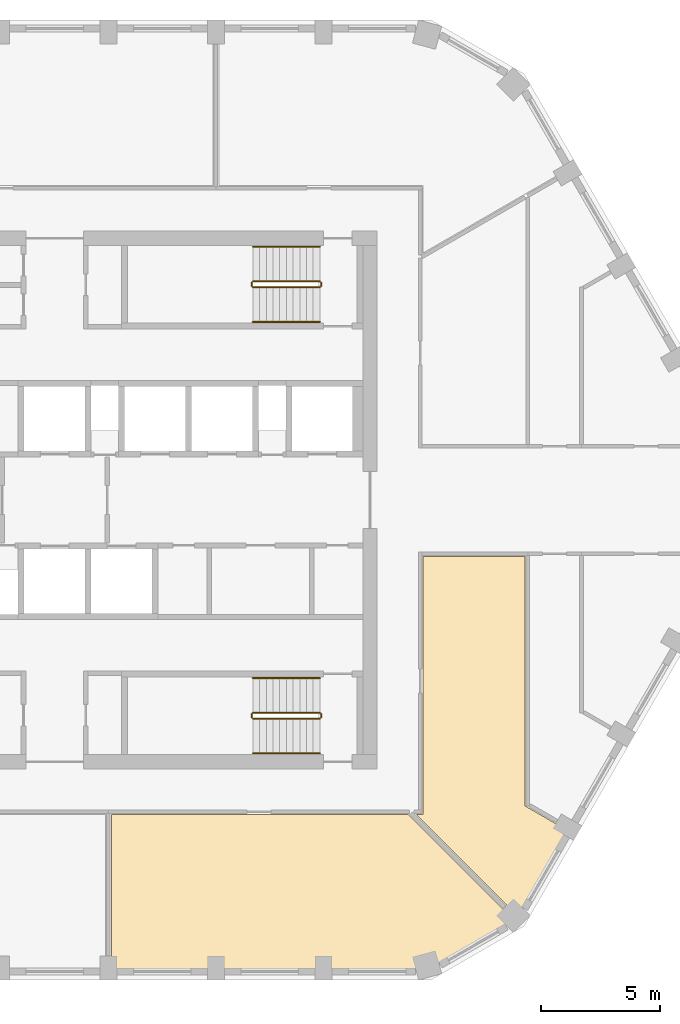
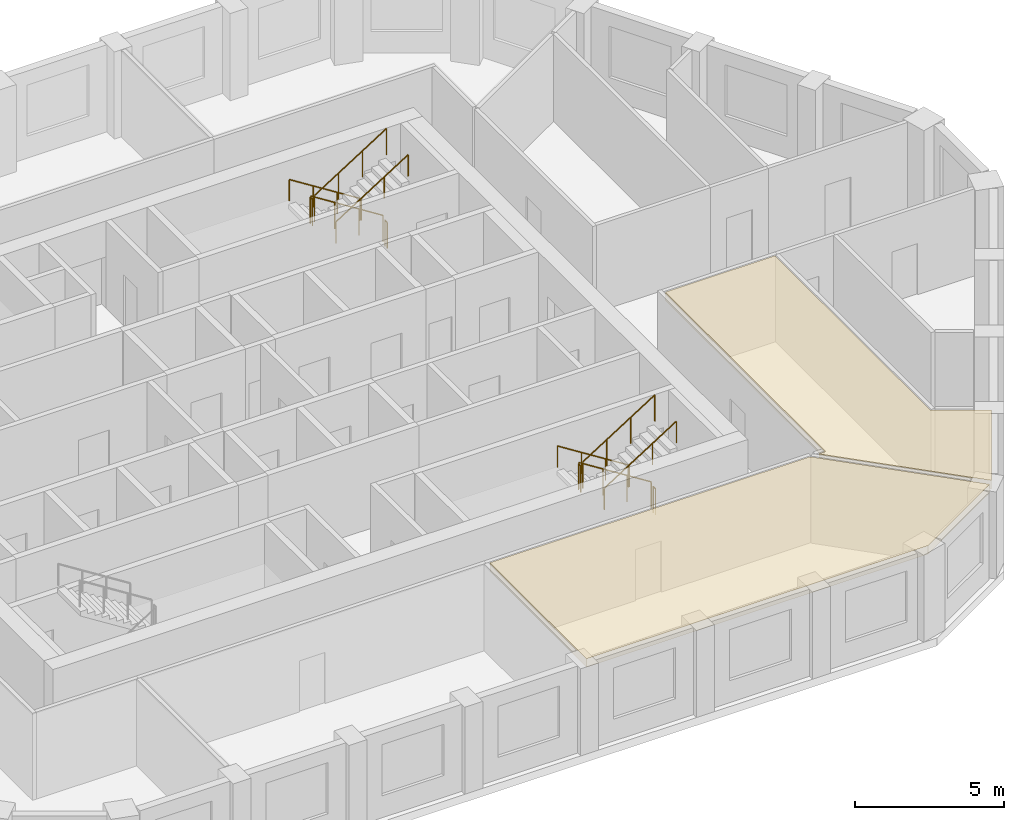
# One storey, part 10 of 11: 12 railings, 2 coverings.
"""IFC4 building model written with IfcOpenShell, lengths in metres."""

from ifc_helpers import new_model, si_unit, direction, frame, origin, origin_2d, place, context, subcontext, project, spatial, polyline, circle, outline, extrude, material, layer, layer_set, type_object, element, save


model = new_model("IFC4")

# Units and contexts
model_context = context("Model", 3, precision=1e-05, world=origin(), true_north=direction((0.0, 1.0)))
body_context = subcontext(model_context, "Body", "Model", "MODEL_VIEW")
ifc_project = project(units=[si_unit("LENGTHUNIT", "METRE"), si_unit("AREAUNIT", "SQUARE_METRE"), si_unit("VOLUMEUNIT", "CUBIC_METRE"), si_unit("PLANEANGLEUNIT", "RADIAN"), si_unit("MASSUNIT", "GRAM", prefix="KILO")], contexts=[model_context])

# Site, building, storey
site_placement = place(None, origin())
site = spatial("IfcSite", under=ifc_project, at=site_placement, CompositionType="ELEMENT")
building_placement = place(site_placement, origin())
building = spatial("IfcBuilding", under=site, at=building_placement, Name="Dhurran Vertical Campus", CompositionType="ELEMENT")
storey_placement = place(building_placement, frame((0.0, 0.0, 274.199951171875)))
storey = spatial("IfcBuildingStorey", under=building, at=storey_placement, Name="L68", CompositionType="ELEMENT", Elevation=274.199951171875)

# Railings
ifc_material_1 = material(Name="Stainless steel balustrade", Category="steel")
railing_type_1 = type_object("IfcRailingType", Name="co-RL-GUARD-1100", PredefinedType="GUARDRAIL", material=ifc_material_1)
railing_1_placement = place(storey_placement, frame((11.10009765625, 9.14990234375, 0.17724609375)))
element("IfcRailing", 1, at=railing_1_placement, inside=storey, type_object=railing_type_1, Name="L68 ST2 stair guard 1", PredefinedType="GUARDRAIL", context=body_context, shape_type="SweptSolid", body=[
    extrude(circle(Radius=0.02392578125, at=origin_2d()), frame((0.0, 0.0, 1.076171875), z_axis=(-0.844908973607, 0.0, 0.534910110503), x_axis=(0.0, -1.0, 0.0)), (0.0, 0.0, 1.0), 3.31396484375),
    extrude(circle(Radius=0.02099609375, at=origin_2d()), origin(), (0.0, 0.0, 1.0), 1.052001953125),
    extrude(circle(Radius=0.02099609375, at=origin_2d()), frame((-0.933349609375, 0.0, 0.5908203125)), (0.0, 0.0, 1.0), 1.052001953125),
    extrude(circle(Radius=0.02099609375, at=origin_2d()), frame((-1.86669921875, 0.0, 1.181884765625)), (0.0, 0.0, 1.0), 1.052001953125),
    extrude(circle(Radius=0.02099609375, at=origin_2d()), frame((-2.800048828125, 0.0, 1.772705078125)), (0.0, 0.0, 1.0), 1.052001953125),
])
railing_2_placement = place(storey_placement, frame((8.25, 9.10009765625, 1.949951171875)))
element("IfcRailing", 2, at=railing_2_placement, inside=storey, type_object=railing_type_1, Name="L68 ST2 stair guard 2", PredefinedType="GUARDRAIL", context=body_context, shape_type="SweptSolid", body=[
    extrude(circle(Radius=0.02392578125, at=origin_2d()), frame((0.0, 0.0, 1.076171875), z_axis=(0.0, -1.0, 0.0), x_axis=(1.0, 0.0, 0.0)), (0.0, 0.0, 1.0), 0.150146484375),
    extrude(circle(Radius=0.02099609375, at=origin_2d()), origin(), (0.0, 0.0, 1.0), 1.052001953125),
    extrude(circle(Radius=0.02099609375, at=origin_2d()), frame((0.0, -0.150146484375, 0.0)), (0.0, 0.0, 1.0), 1.052001953125),
])
railing_3_placement = place(storey_placement, frame((8.300048828125, 8.89990234375, 2.12744140625)))
element("IfcRailing", 3, at=railing_3_placement, inside=storey, type_object=railing_type_1, Name="L68 ST2 stair guard 3", PredefinedType="GUARDRAIL", context=body_context, shape_type="SweptSolid", body=[
    extrude(circle(Radius=0.02392578125, at=origin_2d()), frame((0.0, 0.0, 1.076171875), z_axis=(0.844908973607, 0.0, 0.534910110503), x_axis=(0.0, 1.0, 0.0)), (0.0, 0.0, 1.0), 3.31396484375),
    extrude(circle(Radius=0.02099609375, at=origin_2d()), origin(), (0.0, 0.0, 1.0), 1.052001953125),
    extrude(circle(Radius=0.02099609375, at=origin_2d()), frame((0.933349609375, 0.0, 0.5908203125)), (0.0, 0.0, 1.0), 1.052001953125),
    extrude(circle(Radius=0.02099609375, at=origin_2d()), frame((1.86669921875, 0.0, 1.181884765625)), (0.0, 0.0, 1.0), 1.052001953125),
    extrude(circle(Radius=0.02099609375, at=origin_2d()), frame((2.800048828125, 0.0, 1.772705078125)), (0.0, 0.0, 1.0), 1.052001953125),
])
railing_4_placement = place(storey_placement, frame((11.14990234375, 9.10009765625, 0.0)))
element("IfcRailing", 4, at=railing_4_placement, inside=storey, type_object=railing_type_1, Name="L68 ST2 stair guard 4", PredefinedType="GUARDRAIL", context=body_context, shape_type="SweptSolid", body=[
    extrude(circle(Radius=0.02392578125, at=origin_2d()), frame((0.0, 0.0, 1.076171875), z_axis=(0.0, -1.0, 0.0), x_axis=(1.0, 0.0, 0.0)), (0.0, 0.0, 1.0), 0.150146484375),
    extrude(circle(Radius=0.02099609375, at=origin_2d()), origin(), (0.0, 0.0, 1.0), 1.052001953125),
    extrude(circle(Radius=0.02099609375, at=origin_2d()), frame((0.0, -0.150146484375, 0.0)), (0.0, 0.0, 1.0), 1.052001953125),
])
railing_5_placement = place(storey_placement, frame((11.10009765625, -8.89990234375, 0.17724609375)))
element("IfcRailing", 5, at=railing_5_placement, inside=storey, type_object=railing_type_1, Name="L68 ST4 stair guard 1", PredefinedType="GUARDRAIL", context=body_context, shape_type="SweptSolid", body=[
    extrude(circle(Radius=0.02392578125, at=origin_2d()), frame((0.0, 0.0, 1.076171875), z_axis=(-0.844908973607, 0.0, 0.534910110503), x_axis=(0.0, -1.0, 0.0)), (0.0, 0.0, 1.0), 3.31396484375),
    extrude(circle(Radius=0.02099609375, at=origin_2d()), origin(), (0.0, 0.0, 1.0), 1.052001953125),
    extrude(circle(Radius=0.02099609375, at=origin_2d()), frame((-0.933349609375, 0.0, 0.5908203125)), (0.0, 0.0, 1.0), 1.052001953125),
    extrude(circle(Radius=0.02099609375, at=origin_2d()), frame((-1.86669921875, 0.0, 1.181884765625)), (0.0, 0.0, 1.0), 1.052001953125),
    extrude(circle(Radius=0.02099609375, at=origin_2d()), frame((-2.800048828125, 0.0, 1.772705078125)), (0.0, 0.0, 1.0), 1.052001953125),
])
railing_6_placement = place(storey_placement, frame((8.25, -8.949951171875, 1.949951171875)))
element("IfcRailing", 6, at=railing_6_placement, inside=storey, type_object=railing_type_1, Name="L68 ST4 stair guard 2", PredefinedType="GUARDRAIL", context=body_context, shape_type="SweptSolid", body=[
    extrude(circle(Radius=0.02392578125, at=origin_2d()), frame((0.0, 0.0, 1.076171875), z_axis=(0.0, -1.0, 0.0), x_axis=(1.0, 0.0, 0.0)), (0.0, 0.0, 1.0), 0.150146484375),
    extrude(circle(Radius=0.02099609375, at=origin_2d()), origin(), (0.0, 0.0, 1.0), 1.052001953125),
    extrude(circle(Radius=0.02099609375, at=origin_2d()), frame((0.0, -0.150146484375, 0.0)), (0.0, 0.0, 1.0), 1.052001953125),
])
railing_7_placement = place(storey_placement, frame((8.300048828125, -9.14990234375, 2.12744140625)))
element("IfcRailing", 7, at=railing_7_placement, inside=storey, type_object=railing_type_1, Name="L68 ST4 stair guard 3", PredefinedType="GUARDRAIL", context=body_context, shape_type="SweptSolid", body=[
    extrude(circle(Radius=0.02392578125, at=origin_2d()), frame((0.0, 0.0, 1.076171875), z_axis=(0.844908973607, 0.0, 0.534910110503), x_axis=(0.0, 1.0, 0.0)), (0.0, 0.0, 1.0), 3.31396484375),
    extrude(circle(Radius=0.02099609375, at=origin_2d()), origin(), (0.0, 0.0, 1.0), 1.052001953125),
    extrude(circle(Radius=0.02099609375, at=origin_2d()), frame((0.933349609375, 0.0, 0.5908203125)), (0.0, 0.0, 1.0), 1.052001953125),
    extrude(circle(Radius=0.02099609375, at=origin_2d()), frame((1.86669921875, 0.0, 1.181884765625)), (0.0, 0.0, 1.0), 1.052001953125),
    extrude(circle(Radius=0.02099609375, at=origin_2d()), frame((2.800048828125, 0.0, 1.772705078125)), (0.0, 0.0, 1.0), 1.052001953125),
])
railing_8_placement = place(storey_placement, frame((11.14990234375, -8.949951171875, 0.0)))
element("IfcRailing", 8, at=railing_8_placement, inside=storey, type_object=railing_type_1, Name="L68 ST4 stair guard 4", PredefinedType="GUARDRAIL", context=body_context, shape_type="SweptSolid", body=[
    extrude(circle(Radius=0.02392578125, at=origin_2d()), frame((0.0, 0.0, 1.076171875), z_axis=(0.0, -1.0, 0.0), x_axis=(1.0, 0.0, 0.0)), (0.0, 0.0, 1.0), 0.150146484375),
    extrude(circle(Radius=0.02099609375, at=origin_2d()), origin(), (0.0, 0.0, 1.0), 1.052001953125),
    extrude(circle(Radius=0.02099609375, at=origin_2d()), frame((0.0, -0.150146484375, 0.0)), (0.0, 0.0, 1.0), 1.052001953125),
])
ifc_material_2 = material(Name="Stainless steel handrail", Category="steel")
railing_type_2 = type_object("IfcRailingType", Name="co-RL-HANDRAIL-900", PredefinedType="HANDRAIL", material=ifc_material_2)
railing_9_placement = place(storey_placement, frame((11.10009765625, 10.60009765625, 0.17724609375)))
element("IfcRailing", 9, at=railing_9_placement, inside=storey, type_object=railing_type_2, Name="L68 ST2 stair handrail 1", PredefinedType="HANDRAIL", context=body_context, shape_type="SweptSolid", body=[
    extrude(circle(Radius=0.02392578125, at=origin_2d()), frame((0.0, 0.0, 0.8759765625), z_axis=(-0.844908973607, 0.0, 0.534910110503), x_axis=(0.0, -1.0, 0.0)), (0.0, 0.0, 1.0), 3.31396484375),
    extrude(circle(Radius=0.02099609375, at=origin_2d()), origin(), (0.0, 0.0, 1.0), 0.851806640625),
    extrude(circle(Radius=0.02099609375, at=origin_2d()), frame((-0.933349609375, 0.0, 0.5908203125)), (0.0, 0.0, 1.0), 0.851806640625),
    extrude(circle(Radius=0.02099609375, at=origin_2d()), frame((-1.86669921875, 0.0, 1.181884765625)), (0.0, 0.0, 1.0), 0.851806640625),
    extrude(circle(Radius=0.02099609375, at=origin_2d()), frame((-2.800048828125, 0.0, 1.772705078125)), (0.0, 0.0, 1.0), 0.851806640625),
])
railing_10_placement = place(storey_placement, frame((8.300048828125, 7.449951171875, 2.12744140625)))
element("IfcRailing", 10, at=railing_10_placement, inside=storey, type_object=railing_type_2, Name="L68 ST2 stair handrail 2", PredefinedType="HANDRAIL", context=body_context, shape_type="SweptSolid", body=[
    extrude(circle(Radius=0.02392578125, at=origin_2d()), frame((0.0, 0.0, 0.8759765625), z_axis=(0.844908973607, 0.0, 0.534910110503), x_axis=(0.0, 1.0, 0.0)), (0.0, 0.0, 1.0), 3.31396484375),
    extrude(circle(Radius=0.02099609375, at=origin_2d()), origin(), (0.0, 0.0, 1.0), 0.851806640625),
    extrude(circle(Radius=0.02099609375, at=origin_2d()), frame((0.933349609375, 0.0, 0.5908203125)), (0.0, 0.0, 1.0), 0.851806640625),
    extrude(circle(Radius=0.02099609375, at=origin_2d()), frame((1.86669921875, 0.0, 1.181884765625)), (0.0, 0.0, 1.0), 0.851806640625),
    extrude(circle(Radius=0.02099609375, at=origin_2d()), frame((2.800048828125, 0.0, 1.772705078125)), (0.0, 0.0, 1.0), 0.851806640625),
])
railing_11_placement = place(storey_placement, frame((11.10009765625, -7.449951171875, 0.17724609375)))
element("IfcRailing", 11, at=railing_11_placement, inside=storey, type_object=railing_type_2, Name="L68 ST4 stair handrail 1", PredefinedType="HANDRAIL", context=body_context, shape_type="SweptSolid", body=[
    extrude(circle(Radius=0.02392578125, at=origin_2d()), frame((0.0, 0.0, 0.8759765625), z_axis=(-0.844908973607, 0.0, 0.534910110503), x_axis=(0.0, -1.0, 0.0)), (0.0, 0.0, 1.0), 3.31396484375),
    extrude(circle(Radius=0.02099609375, at=origin_2d()), origin(), (0.0, 0.0, 1.0), 0.851806640625),
    extrude(circle(Radius=0.02099609375, at=origin_2d()), frame((-0.933349609375, 0.0, 0.5908203125)), (0.0, 0.0, 1.0), 0.851806640625),
    extrude(circle(Radius=0.02099609375, at=origin_2d()), frame((-1.86669921875, 0.0, 1.181884765625)), (0.0, 0.0, 1.0), 0.851806640625),
    extrude(circle(Radius=0.02099609375, at=origin_2d()), frame((-2.800048828125, 0.0, 1.772705078125)), (0.0, 0.0, 1.0), 0.851806640625),
])
railing_12_placement = place(storey_placement, frame((8.300048828125, -10.60009765625, 2.12744140625)))
element("IfcRailing", 12, at=railing_12_placement, inside=storey, type_object=railing_type_2, Name="L68 ST4 stair handrail 2", PredefinedType="HANDRAIL", context=body_context, shape_type="SweptSolid", body=[
    extrude(circle(Radius=0.02392578125, at=origin_2d()), frame((0.0, 0.0, 0.8759765625), z_axis=(0.844908973607, 0.0, 0.534910110503), x_axis=(0.0, 1.0, 0.0)), (0.0, 0.0, 1.0), 3.31396484375),
    extrude(circle(Radius=0.02099609375, at=origin_2d()), origin(), (0.0, 0.0, 1.0), 0.851806640625),
    extrude(circle(Radius=0.02099609375, at=origin_2d()), frame((0.933349609375, 0.0, 0.5908203125)), (0.0, 0.0, 1.0), 0.851806640625),
    extrude(circle(Radius=0.02099609375, at=origin_2d()), frame((1.86669921875, 0.0, 1.181884765625)), (0.0, 0.0, 1.0), 0.851806640625),
    extrude(circle(Radius=0.02099609375, at=origin_2d()), frame((2.800048828125, 0.0, 1.772705078125)), (0.0, 0.0, 1.0), 0.851806640625),
])

# Coverings
ifc_material_3 = material(Name="Mineral fibre ceiling tiles on suspended grid")
ifc_layer = layer(ifc_material_3, 0.35009765625)
ifc_layer_set = layer_set([ifc_layer], Name="Mineral fibre ceiling tiles on suspended grid")
covering_type = type_object("IfcCoveringType", Name="fl-CE-350 suspended ceiling", PredefinedType="CEILING", material=ifc_layer_set)
covering_1_placement = place(storey_placement, frame((0.0, 0.0, 3.22509765625)))
element("IfcCovering", 13, at=covering_1_placement, inside=storey, type_object=covering_type, Name="Ceiling 68-11", PredefinedType="CEILING", context=body_context, shape_type="SweptSolid", body=[
    extrude(outline(polyline([(19.23193359375, -17.593017578125), (15.637939453125, -19.66796875), (2.3701171875, -19.66796875), (2.3701171875, -13.169921875), (14.80908203125, -13.169921875), (19.23193359375, -17.593017578125)])), origin(), (0.0, 0.0, 1.0), 0.349853515625),
])
covering_2_placement = place(storey_placement, frame((0.0, 0.0, 3.22509765625)))
element("IfcCovering", 14, at=covering_2_placement, inside=storey, type_object=covering_type, Name="Ceiling 68-14", PredefinedType="CEILING", context=body_context, shape_type="SweptSolid", body=[
    extrude(outline(polyline([(19.696044921875, -16.9130859375), (19.40087890625, -17.424072265625), (15.14892578125, -13.169921875), (15.419921875, -13.169921875), (15.419921875, -2.3701171875), (19.679931640625, -2.3701171875), (19.679931640625, -12.800048828125), (21.472900390625, -13.8349609375), (19.696044921875, -16.9130859375)])), origin(), (0.0, 0.0, 1.0), 0.349853515625),
])

save(model, "model.ifc")
